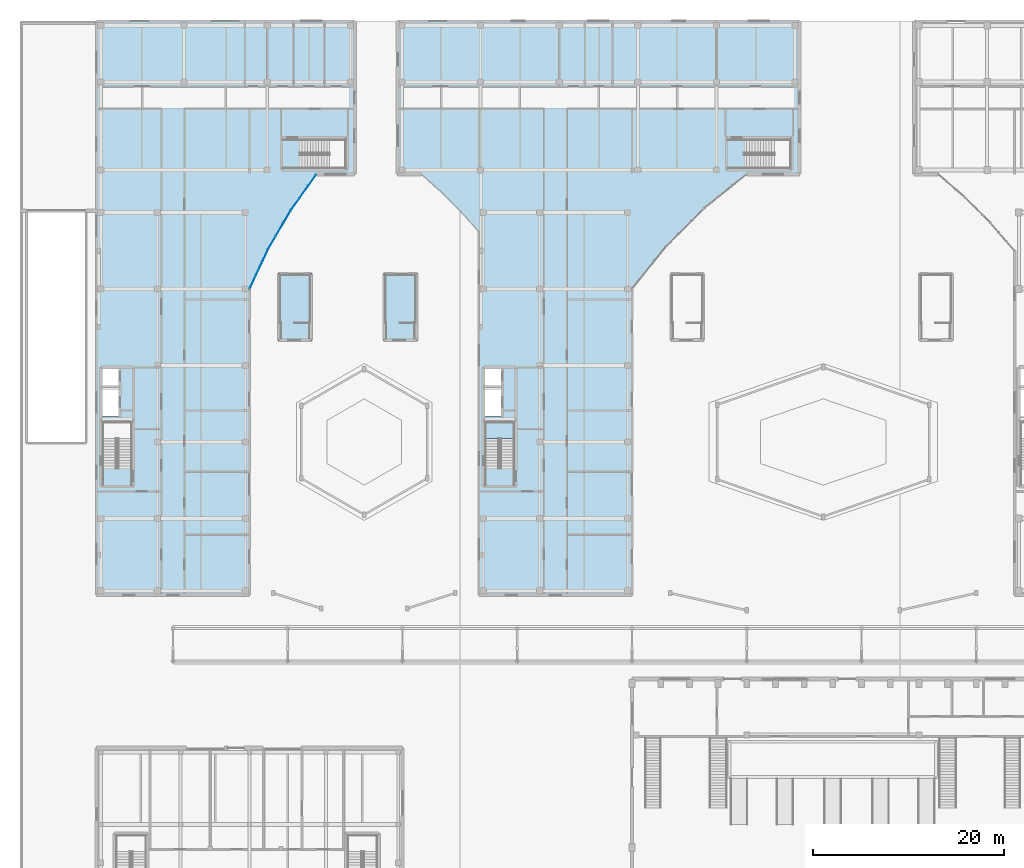
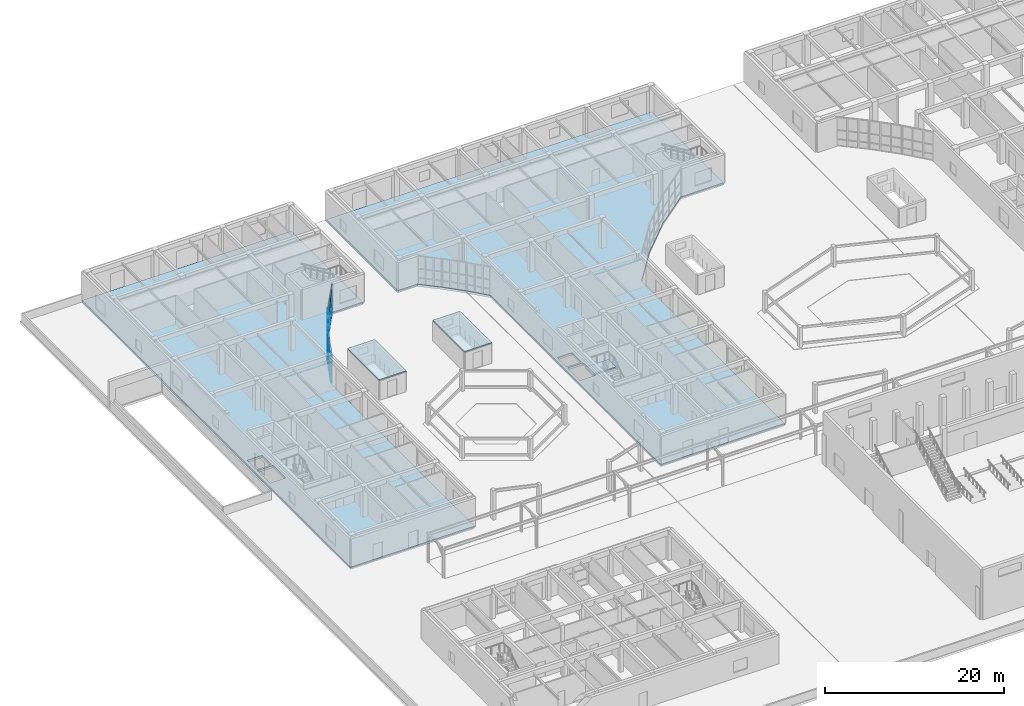
# One storey, part 62 of 114: 27 plates, 5 slabs, 4 elements without a shape of their own.
"""IFC4 building model written with IfcOpenShell, lengths in metres."""

from ifc_helpers import new_model, si_unit, direction, frame, origin, origin_2d, place, context, subcontext, project, spatial, polyline, rectangle, outline, extrude, material, layer, layer_set, type_object, element, aggregate, save


model = new_model("IFC4")

# Units and contexts
model_context = context("Model", 3, precision=1e-05, world=origin(), true_north=direction((0.0, 1.0)))
body_context = subcontext(model_context, "Body", "Model", "MODEL_VIEW")
ifc_project = project(units=[si_unit("LENGTHUNIT", "METRE"), si_unit("AREAUNIT", "SQUARE_METRE"), si_unit("VOLUMEUNIT", "CUBIC_METRE"), si_unit("PLANEANGLEUNIT", "RADIAN"), si_unit("MASSUNIT", "GRAM", prefix="KILO")], contexts=[model_context])

# Site, building, storey
site_placement = place(None, origin())
site = spatial("IfcSite", under=ifc_project, at=site_placement, CompositionType="ELEMENT")
building_placement = place(site_placement, origin())
building = spatial("IfcBuilding", under=site, at=building_placement, Name="Keldmere Railside Commons", CompositionType="ELEMENT")
storey_placement = place(building_placement, origin())
storey = spatial("IfcBuildingStorey", under=building, at=storey_placement, Name="L00", CompositionType="ELEMENT", Elevation=0.0)

# Curtain wall, plates
ifc_material_1 = material(Name="Thermally Broken Aluminium", Category="aluminium")
ifc_layer_1 = layer(ifc_material_1, 0.159912109375, Name="Residential Ground Entrance Lobby CW 4000x3600")
ifc_layer_set_1 = layer_set([ifc_layer_1], Name="Thermally Broken Aluminium")
curtain_wall_type_1 = type_object("IfcCurtainWallType", Name="Residential Ground Entrance Lobby CW 4000x3600", PredefinedType="NOTDEFINED", material=ifc_layer_set_1)
curtain_wall_1_placement = place(storey_placement, origin())
curtain_wall_1 = element("IfcCurtainWall", 1, at=curtain_wall_1_placement, inside=storey, type_object=curtain_wall_type_1, Name="CW-10 CW-L00-001", PredefinedType="NOTDEFINED")
ifc_material_2 = material(Name="Low-E Insulated Double Glazing", Category="glass")
ifc_layer_2 = layer(ifc_material_2, 0.033935546875, Name="Acoustic Laminated Vision Panel 34")
ifc_layer_set_2 = layer_set([ifc_layer_2], Name="Low-E Insulated Double Glazing")
plate_type_1 = type_object("IfcPlateType", Name="Acoustic Laminated Vision Panel 34", PredefinedType="CURTAIN_PANEL", material=ifc_layer_set_2)
plate_1_placement = place(storey_placement, frame((25.636474609375, 91.48779296875, 0.06494140625), z_axis=(0.0, 0.0, 1.0), x_axis=(-0.424759442264, -0.905306255478, 0.0)))
plate_1 = element("IfcPlate", 2, at=plate_1_placement, type_object=plate_type_1, Name="CW-10 panel 1.1", PredefinedType="CURTAIN_PANEL", context=body_context, shape_type="SweptSolid", body=[
    extrude(rectangle(XDim=1.449951171875, YDim=0.033935546875, at=origin_2d()), origin(), (0.0, 0.0, 1.0), 0.802490234375),
])
plate_2_placement = place(storey_placement, frame((25.636474609375, 91.48779296875, 0.932373046875), z_axis=(0.0, 0.0, 1.0), x_axis=(-0.424759442264, -0.905306255478, 0.0)))
plate_2 = element("IfcPlate", 3, at=plate_2_placement, type_object=plate_type_1, Name="CW-10 panel 1.2", PredefinedType="CURTAIN_PANEL", context=body_context, shape_type="SweptSolid", body=[
    extrude(rectangle(XDim=1.449951171875, YDim=0.033935546875, at=origin_2d()), origin(), (0.0, 0.0, 1.0), 1.18505859375),
])
plate_3_placement = place(storey_placement, frame((25.636474609375, 91.48779296875, 2.1826171875), z_axis=(0.0, 0.0, 1.0), x_axis=(-0.424759442264, -0.905306255478, 0.0)))
plate_3 = element("IfcPlate", 4, at=plate_3_placement, type_object=plate_type_1, Name="CW-10 panel 1.3", PredefinedType="CURTAIN_PANEL", context=body_context, shape_type="SweptSolid", body=[
    extrude(rectangle(XDim=1.449951171875, YDim=0.033935546875, at=origin_2d()), origin(), (0.0, 0.0, 1.0), 1.6923828125),
])
plate_4_placement = place(storey_placement, frame((24.986083984375, 90.1015625, 0.06494140625), z_axis=(0.0, 0.0, 1.0), x_axis=(-0.424759442264, -0.905306255478, 0.0)))
plate_4 = element("IfcPlate", 5, at=plate_4_placement, type_object=plate_type_1, Name="CW-10 panel 2.1", PredefinedType="CURTAIN_PANEL", context=body_context, shape_type="SweptSolid", body=[
    extrude(rectangle(XDim=1.482421875, YDim=0.033935546875, at=origin_2d()), origin(), (0.0, 0.0, 1.0), 0.802490234375),
])
plate_5_placement = place(storey_placement, frame((24.986083984375, 90.1015625, 0.932373046875), z_axis=(0.0, 0.0, 1.0), x_axis=(-0.424759442264, -0.905306255478, 0.0)))
plate_5 = element("IfcPlate", 6, at=plate_5_placement, type_object=plate_type_1, Name="CW-10 panel 2.2", PredefinedType="CURTAIN_PANEL", context=body_context, shape_type="SweptSolid", body=[
    extrude(rectangle(XDim=1.482421875, YDim=0.033935546875, at=origin_2d()), origin(), (0.0, 0.0, 1.0), 1.18505859375),
])
plate_6_placement = place(storey_placement, frame((24.986083984375, 90.1015625, 2.1826171875), z_axis=(0.0, 0.0, 1.0), x_axis=(-0.424759442264, -0.905306255478, 0.0)))
plate_6 = element("IfcPlate", 7, at=plate_6_placement, type_object=plate_type_1, Name="CW-10 panel 2.3", PredefinedType="CURTAIN_PANEL", context=body_context, shape_type="SweptSolid", body=[
    extrude(rectangle(XDim=1.482421875, YDim=0.033935546875, at=origin_2d()), origin(), (0.0, 0.0, 1.0), 1.6923828125),
])
plate_7_placement = place(storey_placement, frame((24.33544921875, 88.71533203125, 0.06494140625), z_axis=(0.0, 0.0, 1.0), x_axis=(-0.424759442264, -0.905306255478, 0.0)))
plate_7 = element("IfcPlate", 8, at=plate_7_placement, type_object=plate_type_1, Name="CW-10 panel 3.1", PredefinedType="CURTAIN_PANEL", context=body_context, shape_type="SweptSolid", body=[
    extrude(rectangle(XDim=1.449951171875, YDim=0.033935546875, at=origin_2d()), origin(), (0.0, 0.0, 1.0), 0.802490234375),
])
plate_8_placement = place(storey_placement, frame((24.33544921875, 88.71533203125, 0.932373046875), z_axis=(0.0, 0.0, 1.0), x_axis=(-0.424759442264, -0.905306255478, 0.0)))
plate_8 = element("IfcPlate", 9, at=plate_8_placement, type_object=plate_type_1, Name="CW-10 panel 3.2", PredefinedType="CURTAIN_PANEL", context=body_context, shape_type="SweptSolid", body=[
    extrude(rectangle(XDim=1.449951171875, YDim=0.033935546875, at=origin_2d()), origin(), (0.0, 0.0, 1.0), 1.18505859375),
])
plate_9_placement = place(storey_placement, frame((24.33544921875, 88.71533203125, 2.1826171875), z_axis=(0.0, 0.0, 1.0), x_axis=(-0.424759442264, -0.905306255478, 0.0)))
plate_9 = element("IfcPlate", 10, at=plate_9_placement, type_object=plate_type_1, Name="CW-10 panel 3.3", PredefinedType="CURTAIN_PANEL", context=body_context, shape_type="SweptSolid", body=[
    extrude(rectangle(XDim=1.449951171875, YDim=0.033935546875, at=origin_2d()), origin(), (0.0, 0.0, 1.0), 1.6923828125),
])
aggregate(curtain_wall_1, [plate_1, plate_2, plate_3, plate_4, plate_5, plate_6, plate_7, plate_8, plate_9])

# Slabs
ifc_material_3 = material(Name="Concrete H-35 (C35/45)", Category="concrete")
ifc_layer_3 = layer(ifc_material_3, 0.14990234375, Name="Canopy & Headhouse Roof Slab 150")
ifc_layer_set_3 = layer_set([ifc_layer_3], Name="Concrete H-35 (C35/45)")
slab_type_1 = type_object("IfcSlabType", Name="Canopy & Headhouse Roof Slab 150", PredefinedType="ROOF", material=ifc_layer_set_3)
slab_1_placement = place(storey_placement, frame((0.0, 0.0, 2.64990234375)))
element("IfcSlab", 11, at=slab_1_placement, inside=storey, type_object=slab_type_1, Name="RT-3 ST-B1 Pavilion Roof", PredefinedType="ROOF", context=body_context, shape_type="SweptSolid", body=[
    extrude(outline(polyline([(27.0, 82.550048828125), (30.550048828125, 82.550048828125), (30.550048828125, 89.64990234375), (27.0, 89.64990234375), (27.0, 82.550048828125)])), origin(), (0.0, 0.0, 1.0), 0.150146484375),
])
slab_2_placement = place(storey_placement, frame((0.0, 0.0, 2.64990234375)))
element("IfcSlab", 12, at=slab_2_placement, inside=storey, type_object=slab_type_1, Name="RT-3 ST-B2 Pavilion Roof", PredefinedType="ROOF", context=body_context, shape_type="SweptSolid", body=[
    extrude(outline(polyline([(38.0, 82.550048828125), (41.550048828125, 82.550048828125), (41.550048828125, 89.64990234375), (38.0, 89.64990234375), (38.0, 82.550048828125)])), origin(), (0.0, 0.0, 1.0), 0.150146484375),
])

# Curtain wall, plates
ifc_layer_4 = layer(ifc_material_1, 0.159912109375, Name="Residential Lounge Frontage CW 4600x3600")
ifc_layer_set_4 = layer_set([ifc_layer_4], Name="Thermally Broken Aluminium")
curtain_wall_type_2 = type_object("IfcCurtainWallType", Name="Residential Lounge Frontage CW 4600x3600", PredefinedType="NOTDEFINED", material=ifc_layer_set_4)
curtain_wall_2_placement = place(storey_placement, origin())
curtain_wall_2 = element("IfcCurtainWall", 13, at=curtain_wall_2_placement, inside=storey, type_object=curtain_wall_type_2, Name="CW-11 CW-L00-002", PredefinedType="NOTDEFINED")
ifc_layer_5 = layer(ifc_material_2, 0.031982421875, Name="Clerestory Solar-Control Vision Panel 32")
ifc_layer_set_5 = layer_set([ifc_layer_5], Name="Low-E Insulated Double Glazing")
plate_type_2 = type_object("IfcPlateType", Name="Clerestory Solar-Control Vision Panel 32", PredefinedType="CURTAIN_PANEL", material=ifc_layer_set_5)
plate_10_placement = place(storey_placement, frame((27.913818359375, 95.531494140625, 0.06494140625), z_axis=(0.0, 0.0, 1.0), x_axis=(-0.503911193272, -0.86375546846, 0.0)))
plate_10 = element("IfcPlate", 14, at=plate_10_placement, type_object=plate_type_2, Name="CW-11 panel 1.1", PredefinedType="CURTAIN_PANEL", context=body_context, shape_type="SweptSolid", body=[
    extrude(rectangle(XDim=1.450439453125, YDim=0.031982421875, at=origin_2d()), origin(), (0.0, 0.0, 1.0), 0.802490234375),
])
plate_11_placement = place(storey_placement, frame((27.913818359375, 95.531494140625, 0.932373046875), z_axis=(0.0, 0.0, 1.0), x_axis=(-0.503911193272, -0.86375546846, 0.0)))
plate_11 = element("IfcPlate", 15, at=plate_11_placement, type_object=plate_type_2, Name="CW-11 panel 1.2", PredefinedType="CURTAIN_PANEL", context=body_context, shape_type="SweptSolid", body=[
    extrude(rectangle(XDim=1.450439453125, YDim=0.031982421875, at=origin_2d()), origin(), (0.0, 0.0, 1.0), 1.18505859375),
])
plate_12_placement = place(storey_placement, frame((27.913818359375, 95.531494140625, 2.1826171875), z_axis=(0.0, 0.0, 1.0), x_axis=(-0.503911193272, -0.86375546846, 0.0)))
plate_12 = element("IfcPlate", 16, at=plate_12_placement, type_object=plate_type_2, Name="CW-11 panel 1.3", PredefinedType="CURTAIN_PANEL", context=body_context, shape_type="SweptSolid", body=[
    extrude(rectangle(XDim=1.450439453125, YDim=0.031982421875, at=origin_2d()), origin(), (0.0, 0.0, 1.0), 1.6923828125),
])
plate_13_placement = place(storey_placement, frame((27.14208984375, 94.20849609375, 0.06494140625), z_axis=(0.0, 0.0, 1.0), x_axis=(-0.503911193272, -0.86375546846, 0.0)))
plate_13 = element("IfcPlate", 17, at=plate_13_placement, type_object=plate_type_2, Name="CW-11 panel 2.1", PredefinedType="CURTAIN_PANEL", context=body_context, shape_type="SweptSolid", body=[
    extrude(rectangle(XDim=1.48291015625, YDim=0.031982421875, at=origin_2d()), origin(), (0.0, 0.0, 1.0), 0.802490234375),
])
plate_14_placement = place(storey_placement, frame((27.14208984375, 94.20849609375, 0.932373046875), z_axis=(0.0, 0.0, 1.0), x_axis=(-0.503911193272, -0.86375546846, 0.0)))
plate_14 = element("IfcPlate", 18, at=plate_14_placement, type_object=plate_type_2, Name="CW-11 panel 2.2", PredefinedType="CURTAIN_PANEL", context=body_context, shape_type="SweptSolid", body=[
    extrude(rectangle(XDim=1.48291015625, YDim=0.031982421875, at=origin_2d()), origin(), (0.0, 0.0, 1.0), 1.18505859375),
])
plate_15_placement = place(storey_placement, frame((27.14208984375, 94.20849609375, 2.1826171875), z_axis=(0.0, 0.0, 1.0), x_axis=(-0.503911193272, -0.86375546846, 0.0)))
plate_15 = element("IfcPlate", 19, at=plate_15_placement, type_object=plate_type_2, Name="CW-11 panel 2.3", PredefinedType="CURTAIN_PANEL", context=body_context, shape_type="SweptSolid", body=[
    extrude(rectangle(XDim=1.48291015625, YDim=0.031982421875, at=origin_2d()), origin(), (0.0, 0.0, 1.0), 1.6923828125),
])
plate_16_placement = place(storey_placement, frame((26.3701171875, 92.885498046875, 0.06494140625), z_axis=(0.0, 0.0, 1.0), x_axis=(-0.503911193272, -0.86375546846, 0.0)))
plate_16 = element("IfcPlate", 20, at=plate_16_placement, type_object=plate_type_2, Name="CW-11 panel 3.1", PredefinedType="CURTAIN_PANEL", context=body_context, shape_type="SweptSolid", body=[
    extrude(rectangle(XDim=1.450439453125, YDim=0.031982421875, at=origin_2d()), origin(), (0.0, 0.0, 1.0), 0.802490234375),
])
plate_17_placement = place(storey_placement, frame((26.3701171875, 92.885498046875, 0.932373046875), z_axis=(0.0, 0.0, 1.0), x_axis=(-0.503911193272, -0.86375546846, 0.0)))
plate_17 = element("IfcPlate", 21, at=plate_17_placement, type_object=plate_type_2, Name="CW-11 panel 3.2", PredefinedType="CURTAIN_PANEL", context=body_context, shape_type="SweptSolid", body=[
    extrude(rectangle(XDim=1.450439453125, YDim=0.031982421875, at=origin_2d()), origin(), (0.0, 0.0, 1.0), 1.18505859375),
])
plate_18_placement = place(storey_placement, frame((26.3701171875, 92.885498046875, 2.1826171875), z_axis=(0.0, 0.0, 1.0), x_axis=(-0.503911193272, -0.86375546846, 0.0)))
plate_18 = element("IfcPlate", 22, at=plate_18_placement, type_object=plate_type_2, Name="CW-11 panel 3.3", PredefinedType="CURTAIN_PANEL", context=body_context, shape_type="SweptSolid", body=[
    extrude(rectangle(XDim=1.450439453125, YDim=0.031982421875, at=origin_2d()), origin(), (0.0, 0.0, 1.0), 1.6923828125),
])
aggregate(curtain_wall_2, [plate_10, plate_11, plate_12, plate_13, plate_14, plate_15, plate_16, plate_17, plate_18])

# Stair, slab
ifc_material_4 = material(Name="Concrete H-30 (C30/37)", Category="concrete")
stair_type = type_object("IfcStairType", Name="Ground Podium Dogleg Stair 1450", PredefinedType="HALF_TURN_STAIR", material=ifc_material_4)
stair_placement = place(storey_placement, origin())
stair = element("IfcStair", 23, at=stair_placement, inside=storey, type_object=stair_type, Name="L00 Block C Primary Escape Stair 1", PredefinedType="HALF_TURN_STAIR")
ifc_layer_6 = layer(ifc_material_4, 0.199951171875, Name="Enclosed Stair Landing Slab 200")
ifc_layer_set_6 = layer_set([ifc_layer_6], Name="Concrete H-30 (C30/37)")
slab_type_2 = type_object("IfcSlabType", Name="Enclosed Stair Landing Slab 200", PredefinedType="LANDING", material=ifc_layer_set_6)
slab_3_placement = place(storey_placement, frame((0.0, 0.0, 1.8798828125)))
slab_3 = element("IfcSlab", 24, at=slab_3_placement, type_object=slab_type_2, Name="ST-C1 landing 1", PredefinedType="LANDING", context=body_context, shape_type="SweptSolid", body=[
    extrude(outline(polyline([(51.699951171875, 72.389892578125), (51.699951171875, 74.10009765625), (48.64990234375, 74.10009765625), (48.64990234375, 72.389892578125), (51.699951171875, 72.389892578125)])), origin(), (0.0, 0.0, 1.0), 0.2001953125),
])
aggregate(stair, [slab_3])

# Slabs
ifc_layer_7 = layer(ifc_material_3, 0.320068359375, Name="Ground Podium Transfer Slab 320")
ifc_layer_set_7 = layer_set([ifc_layer_7], Name="Concrete H-35 (C35/45)")
slab_type_3 = type_object("IfcSlabType", Name="Ground Podium Transfer Slab 320", PredefinedType="FLOOR", material=ifc_layer_set_7)
slab_4_placement = place(storey_placement, frame((0.0, 0.0, -0.320068359375)))
element("IfcSlab", 25, at=slab_4_placement, inside=storey, type_object=slab_type_3, Name="FS-1 BLKD-L00-007", PredefinedType="FLOOR", context=body_context, shape_type="SweptSolid", body=[
    extrude(outline(polyline([(8.0, 56.0), (24.0, 56.0), (24.0, 88.0), (25.971923828125, 92.202880859375), (28.31201171875, 96.214111328125), (31.0, 100.0), (35.0, 100.0), (35.0, 116.0), (8.0, 116.0), (8.0, 56.0)]), holes=[polyline([(10.39990234375, 74.699951171875), (8.39990234375, 74.699951171875), (8.39990234375, 77.5), (10.39990234375, 77.5), (10.39990234375, 74.699951171875)]), polyline([(10.300048828125, 77.75), (8.39990234375, 77.75), (8.39990234375, 79.800048828125), (10.300048828125, 79.800048828125), (10.300048828125, 77.75)])]), origin(), (0.0, 0.0, 1.0), 0.320068359375),
])
slab_5_placement = place(storey_placement, frame((0.0, 0.0, -0.320068359375)))
element("IfcSlab", 26, at=slab_5_placement, inside=storey, type_object=slab_type_3, Name="FS-1 BLKC-L00-020", PredefinedType="FLOOR", context=body_context, shape_type="SweptSolid", body=[
    extrude(outline(polyline([(48.0, 56.0), (64.0, 56.0), (64.0, 88.0), (67.553955078125, 92.429931640625), (71.570068359375, 96.446044921875), (76.0, 100.0), (81.5, 100.0), (81.5, 116.0), (39.5, 116.0), (39.5, 100.0), (42.0, 100.0), (44.10791015625, 98.110107421875), (46.110107421875, 96.10791015625), (48.0, 94.0), (48.0, 56.0)]), holes=[polyline([(50.39990234375, 74.699951171875), (48.39990234375, 74.699951171875), (48.39990234375, 77.5), (50.39990234375, 77.5), (50.39990234375, 74.699951171875)]), polyline([(50.300048828125, 77.75), (48.39990234375, 77.75), (48.39990234375, 79.800048828125), (50.300048828125, 79.800048828125), (50.300048828125, 77.75)])]), origin(), (0.0, 0.0, 1.0), 0.320068359375),
])

# Curtain wall, plates
curtain_wall_3_placement = place(storey_placement, origin())
curtain_wall_3 = element("IfcCurtainWall", 27, at=curtain_wall_3_placement, inside=storey, type_object=curtain_wall_type_1, Name="CW-10 CW-L00-003", PredefinedType="NOTDEFINED")
ifc_layer_8 = layer(ifc_material_2, 0.028076171875, Name="Low-E Vision Glazing Panel 28")
ifc_layer_set_8 = layer_set([ifc_layer_8], Name="Low-E Insulated Double Glazing")
plate_type_3 = type_object("IfcPlateType", Name="Low-E Vision Glazing Panel 28", PredefinedType="CURTAIN_PANEL", material=ifc_layer_set_8)
plate_19_placement = place(storey_placement, frame((30.54248046875, 99.355712890625, 0.06494140625), z_axis=(0.0, 0.0, 1.0), x_axis=(-0.578913327753, -0.815389084395, 0.0)))
plate_19 = element("IfcPlate", 28, at=plate_19_placement, type_object=plate_type_3, Name="CW-10 panel 1.1", PredefinedType="CURTAIN_PANEL", context=body_context, shape_type="SweptSolid", body=[
    extrude(rectangle(XDim=1.4501953125, YDim=0.028076171875, at=origin_2d()), origin(), (0.0, 0.0, 1.0), 0.802490234375),
])
plate_20_placement = place(storey_placement, frame((30.54248046875, 99.355712890625, 0.932373046875), z_axis=(0.0, 0.0, 1.0), x_axis=(-0.578913327753, -0.815389084395, 0.0)))
plate_20 = element("IfcPlate", 29, at=plate_20_placement, type_object=plate_type_3, Name="CW-10 panel 1.2", PredefinedType="CURTAIN_PANEL", context=body_context, shape_type="SweptSolid", body=[
    extrude(rectangle(XDim=1.4501953125, YDim=0.028076171875, at=origin_2d()), origin(), (0.0, 0.0, 1.0), 1.18505859375),
])
plate_21_placement = place(storey_placement, frame((30.54248046875, 99.355712890625, 2.1826171875), z_axis=(0.0, 0.0, 1.0), x_axis=(-0.578913327753, -0.815389084395, 0.0)))
plate_21 = element("IfcPlate", 30, at=plate_21_placement, type_object=plate_type_3, Name="CW-10 panel 1.3", PredefinedType="CURTAIN_PANEL", context=body_context, shape_type="SweptSolid", body=[
    extrude(rectangle(XDim=1.4501953125, YDim=0.028076171875, at=origin_2d()), origin(), (0.0, 0.0, 1.0), 1.6923828125),
])
plate_22_placement = place(storey_placement, frame((29.656005859375, 98.10693359375, 0.06494140625), z_axis=(0.0, 0.0, 1.0), x_axis=(-0.578913327753, -0.815389084395, 0.0)))
plate_22 = element("IfcPlate", 31, at=plate_22_placement, type_object=plate_type_3, Name="CW-10 panel 2.1", PredefinedType="CURTAIN_PANEL", context=body_context, shape_type="SweptSolid", body=[
    extrude(rectangle(XDim=1.482666015625, YDim=0.028076171875, at=origin_2d()), origin(), (0.0, 0.0, 1.0), 0.802490234375),
])
plate_23_placement = place(storey_placement, frame((29.656005859375, 98.10693359375, 0.932373046875), z_axis=(0.0, 0.0, 1.0), x_axis=(-0.578913327753, -0.815389084395, 0.0)))
plate_23 = element("IfcPlate", 32, at=plate_23_placement, type_object=plate_type_3, Name="CW-10 panel 2.2", PredefinedType="CURTAIN_PANEL", context=body_context, shape_type="SweptSolid", body=[
    extrude(rectangle(XDim=1.482666015625, YDim=0.028076171875, at=origin_2d()), origin(), (0.0, 0.0, 1.0), 1.18505859375),
])
plate_24_placement = place(storey_placement, frame((29.656005859375, 98.10693359375, 2.1826171875), z_axis=(0.0, 0.0, 1.0), x_axis=(-0.578913327753, -0.815389084395, 0.0)))
plate_24 = element("IfcPlate", 33, at=plate_24_placement, type_object=plate_type_3, Name="CW-10 panel 2.3", PredefinedType="CURTAIN_PANEL", context=body_context, shape_type="SweptSolid", body=[
    extrude(rectangle(XDim=1.482666015625, YDim=0.028076171875, at=origin_2d()), origin(), (0.0, 0.0, 1.0), 1.6923828125),
])
plate_25_placement = place(storey_placement, frame((28.769287109375, 96.858154296875, 0.06494140625), z_axis=(0.0, 0.0, 1.0), x_axis=(-0.578913327753, -0.815389084395, 0.0)))
plate_25 = element("IfcPlate", 34, at=plate_25_placement, type_object=plate_type_3, Name="CW-10 panel 3.1", PredefinedType="CURTAIN_PANEL", context=body_context, shape_type="SweptSolid", body=[
    extrude(rectangle(XDim=1.4501953125, YDim=0.028076171875, at=origin_2d()), origin(), (0.0, 0.0, 1.0), 0.802490234375),
])
plate_26_placement = place(storey_placement, frame((28.769287109375, 96.858154296875, 0.932373046875), z_axis=(0.0, 0.0, 1.0), x_axis=(-0.578913327753, -0.815389084395, 0.0)))
plate_26 = element("IfcPlate", 35, at=plate_26_placement, type_object=plate_type_3, Name="CW-10 panel 3.2", PredefinedType="CURTAIN_PANEL", context=body_context, shape_type="SweptSolid", body=[
    extrude(rectangle(XDim=1.4501953125, YDim=0.028076171875, at=origin_2d()), origin(), (0.0, 0.0, 1.0), 1.18505859375),
])
plate_27_placement = place(storey_placement, frame((28.769287109375, 96.858154296875, 2.1826171875), z_axis=(0.0, 0.0, 1.0), x_axis=(-0.578913327753, -0.815389084395, 0.0)))
plate_27 = element("IfcPlate", 36, at=plate_27_placement, type_object=plate_type_3, Name="CW-10 panel 3.3", PredefinedType="CURTAIN_PANEL", context=body_context, shape_type="SweptSolid", body=[
    extrude(rectangle(XDim=1.4501953125, YDim=0.028076171875, at=origin_2d()), origin(), (0.0, 0.0, 1.0), 1.6923828125),
])
aggregate(curtain_wall_3, [plate_19, plate_20, plate_21, plate_22, plate_23, plate_24, plate_25, plate_26, plate_27])

save(model, "model.ifc")
